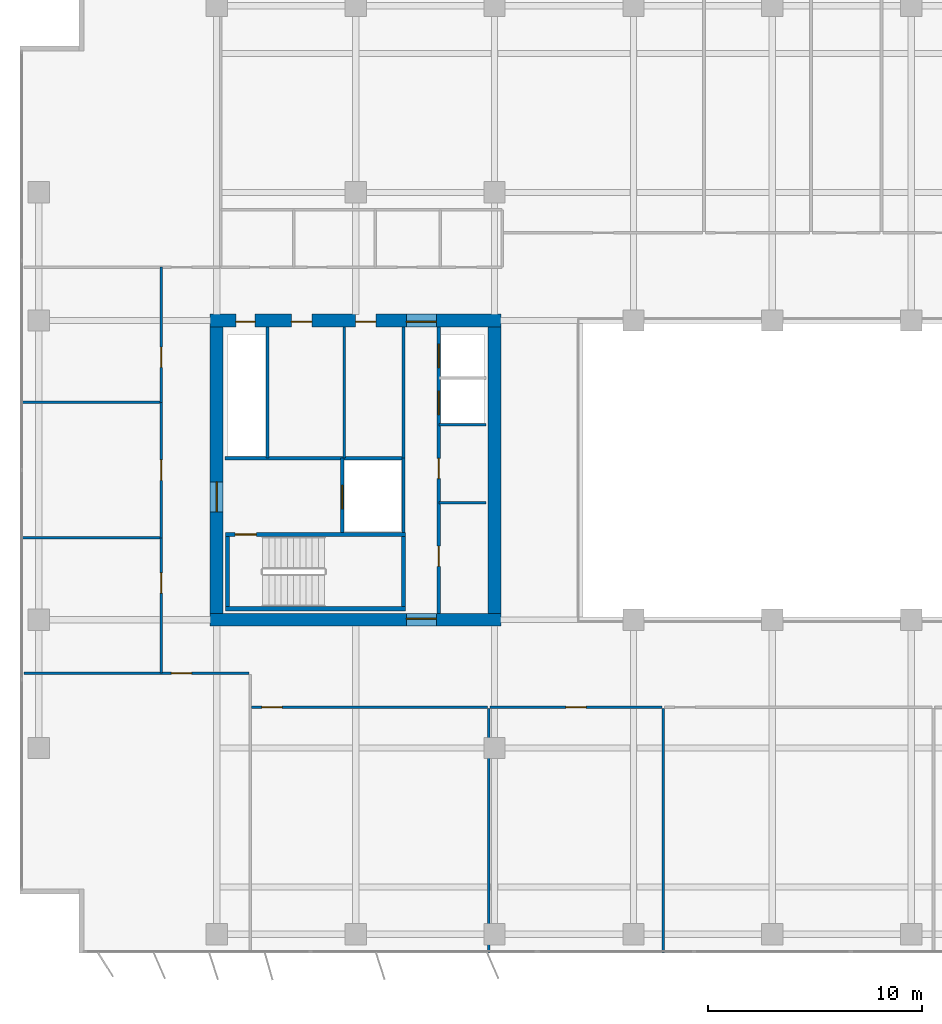
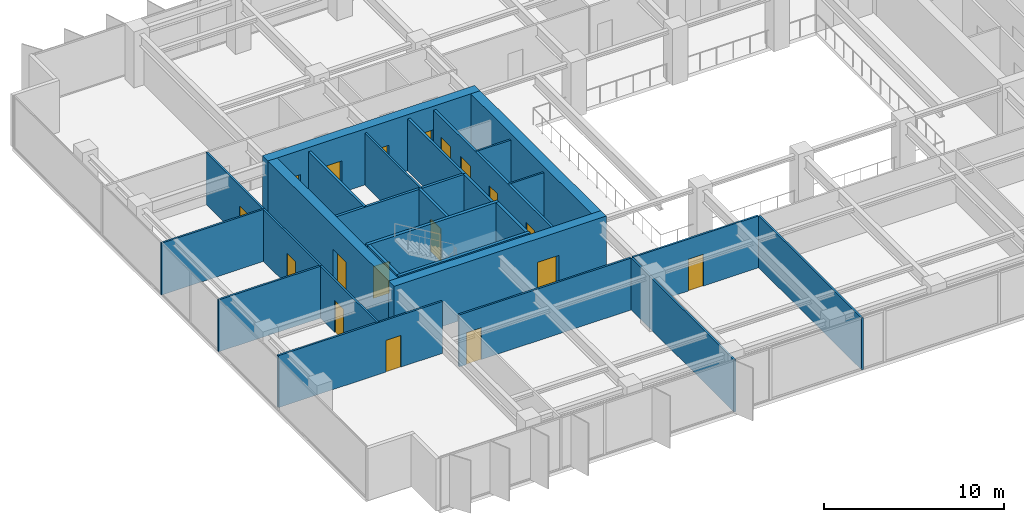
# One storey, part 15 of 22: 27 walls, 18 doors, 18 openings.
"""IFC4 building model written with IfcOpenShell, lengths in metres."""

from ifc_helpers import new_model, si_unit, direction, frame, frame_2d, origin, place, context, subcontext, project, spatial, rectangle, extrude, material, layer, layer_set, type_object, element, fill, save


model = new_model("IFC4")

# Units and contexts
model_context = context("Model", 3, precision=1e-05, world=origin(), true_north=direction((0.0, 1.0)))
body_context = subcontext(model_context, "Body", "Model", "MODEL_VIEW")
ifc_project = project(units=[si_unit("LENGTHUNIT", "METRE"), si_unit("AREAUNIT", "SQUARE_METRE"), si_unit("VOLUMEUNIT", "CUBIC_METRE"), si_unit("PLANEANGLEUNIT", "RADIAN"), si_unit("MASSUNIT", "GRAM", prefix="KILO")], contexts=[model_context])

# Site, building, storey
site_placement = place(None, origin())
site = spatial("IfcSite", under=ifc_project, at=site_placement, CompositionType="ELEMENT")
building_placement = place(site_placement, origin())
building = spatial("IfcBuilding", under=site, at=building_placement, Name="Putna Gate Headquarters", CompositionType="ELEMENT")
storey_placement = place(building_placement, frame((0.0, 0.0, 193.60009765625)))
storey = spatial("IfcBuildingStorey", under=building, at=storey_placement, Name="L48", CompositionType="ELEMENT", Elevation=193.60009765625)

# Wall, opening, door
ifc_material_1 = material(Name="Concrete C50/60", Category="concrete")
ifc_layer_1 = layer(ifc_material_1, 0.60009765625)
ifc_layer_set_1 = layer_set([ifc_layer_1], Name="Concrete C50/60")
wall_type_1 = type_object("IfcWallType", Name="WALL-CORE-600", PredefinedType="SHEAR", material=ifc_layer_set_1)
wall_1_placement = place(storey_placement, frame((12.699951171875, 19.0, 0.0), z_axis=(0.0, 0.0, 1.0), x_axis=(1.0, 0.0, 0.0)))
wall_1 = element("IfcWall", 1, at=wall_1_placement, inside=storey, type_object=wall_type_1, Name="L48 WC Split Core Shear Wall S", PredefinedType="SHEAR", context=body_context, shape_type="SweptSolid", body=[
    extrude(rectangle(XDim=13.60009765625, YDim=0.60009765625, at=frame_2d((6.800048828125, 0.0))), origin(), (0.0, 0.0, 1.0), 3.7998046875),
])
opening_1_placement = place(wall_1_placement, frame((9.179931640625, 0.0, 0.0)))
opening_1 = element("IfcOpeningElement", 2, at=opening_1_placement, cuts=wall_1, Name="Opening FDD-140", PredefinedType="OPENING", context=body_context, shape_type="SweptSolid", body=[
    extrude(rectangle(XDim=1.39990234375, YDim=2.199951171875, at=frame_2d((0.699951171875, 1.10009765625))), frame((0.0, 0.31005859375, 0.0), z_axis=(0.0, -1.0, 0.0), x_axis=(1.0, 0.0, 0.0)), (0.0, 0.0, 1.0), 0.6201171875),
])
ifc_material_2 = material(Name="Double steel fire door", Category="steel")
door_type_1 = type_object("IfcDoorType", Name="DOOR-FIRE-DBL-1400", OperationType="DOUBLE_DOOR_SINGLE_SWING", PredefinedType="DOOR", material=ifc_material_2)
door_1_placement = place(opening_1_placement, origin())
door_1 = element("IfcDoor", 3, at=door_1_placement, inside=storey, type_object=door_type_1, Name="L48 West Lift Lobby South Door", OperationType="DOUBLE_DOOR_SINGLE_SWING", OverallHeight=2.199951171875, OverallWidth=1.39990234375, PredefinedType="DOOR", context=body_context, shape_type="SweptSolid", body=[
    extrude(rectangle(XDim=1.39990234375, YDim=2.199951171875, at=frame_2d((0.699951171875, 1.10009765625))), frame((0.0, 0.0751953125, 0.0), z_axis=(0.0, -1.0, 0.0), x_axis=(1.0, 0.0, 0.0)), (0.0, 0.0, 1.0), 0.050048828125),
])
fill(opening_1, door_1)

# Wall, openings, doors
wall_2_placement = place(storey_placement, frame((12.699951171875, 33.0, 0.0), z_axis=(0.0, 0.0, 1.0), x_axis=(1.0, 0.0, 0.0)))
wall_2 = element("IfcWall", 4, at=wall_2_placement, inside=storey, type_object=wall_type_1, Name="L48 WC Split Core Shear Wall N", PredefinedType="SHEAR", context=body_context, shape_type="SweptSolid", body=[
    extrude(rectangle(XDim=13.60009765625, YDim=0.60009765625, at=frame_2d((6.800048828125, 0.0))), origin(), (0.0, 0.0, 1.0), 3.7998046875),
])
opening_2_placement = place(wall_2_placement, frame((1.199951171875, 0.0, 0.0)))
opening_2 = element("IfcOpeningElement", 5, at=opening_2_placement, cuts=wall_2, Name="Opening RD-90", PredefinedType="OPENING", context=body_context, shape_type="SweptSolid", body=[
    extrude(rectangle(XDim=0.89990234375, YDim=2.14990234375, at=frame_2d((0.449951171875, 1.074951171875))), frame((0.0, 0.31005859375, 0.0), z_axis=(0.0, -1.0, 0.0), x_axis=(1.0, 0.0, 0.0)), (0.0, 0.0, 1.0), 0.6201171875),
])
opening_3_placement = place(wall_2_placement, frame((3.800048828125, 0.0, 0.0)))
opening_3 = element("IfcOpeningElement", 6, at=opening_3_placement, cuts=wall_2, Name="Opening IDS-95", PredefinedType="OPENING", context=body_context, shape_type="SweptSolid", body=[
    extrude(rectangle(XDim=0.949951171875, YDim=2.14990234375, at=frame_2d((0.47509765625, 1.074951171875))), frame((0.0, 0.31005859375, 0.0), z_axis=(0.0, -1.0, 0.0), x_axis=(1.0, 0.0, 0.0)), (0.0, 0.0, 1.0), 0.6201171875),
])
opening_4_placement = place(wall_2_placement, frame((6.800048828125, 0.0, 0.0)))
opening_4 = element("IfcOpeningElement", 7, at=opening_4_placement, cuts=wall_2, Name="Opening IDS-95", PredefinedType="OPENING", context=body_context, shape_type="SweptSolid", body=[
    extrude(rectangle(XDim=0.949951171875, YDim=2.14990234375, at=frame_2d((0.47509765625, 1.074951171875))), frame((0.0, 0.31005859375, 0.0), z_axis=(0.0, -1.0, 0.0), x_axis=(1.0, 0.0, 0.0)), (0.0, 0.0, 1.0), 0.6201171875),
])
opening_5_placement = place(wall_2_placement, frame((9.179931640625, 0.0, 0.0)))
opening_5 = element("IfcOpeningElement", 8, at=opening_5_placement, cuts=wall_2, Name="Opening FDD-140", PredefinedType="OPENING", context=body_context, shape_type="SweptSolid", body=[
    extrude(rectangle(XDim=1.39990234375, YDim=2.199951171875, at=frame_2d((0.699951171875, 1.10009765625))), frame((0.0, 0.31005859375, 0.0), z_axis=(0.0, -1.0, 0.0), x_axis=(1.0, 0.0, 0.0)), (0.0, 0.0, 1.0), 0.6201171875),
])
door_2_placement = place(opening_5_placement, origin())
door_2 = element("IfcDoor", 9, at=door_2_placement, inside=storey, type_object=door_type_1, Name="L48 West Lift Lobby North Door", OperationType="DOUBLE_DOOR_SINGLE_SWING", OverallHeight=2.199951171875, OverallWidth=1.39990234375, PredefinedType="DOOR", context=body_context, shape_type="SweptSolid", body=[
    extrude(rectangle(XDim=1.39990234375, YDim=2.199951171875, at=frame_2d((0.699951171875, 1.10009765625))), frame((0.0, -0.02490234375, 0.0), z_axis=(0.0, -1.0, 0.0), x_axis=(1.0, 0.0, 0.0)), (0.0, 0.0, 1.0), 0.050048828125),
])
fill(opening_5, door_2)
ifc_material_3 = material(Name="Fire-rated service timber door", Category="wood")
door_type_2 = type_object("IfcDoorType", Name="DOOR-INT-950", OperationType="NOTDEFINED", PredefinedType="DOOR", material=ifc_material_3)
door_3_placement = place(opening_3_placement, origin())
door_3 = element("IfcDoor", 10, at=door_3_placement, inside=storey, type_object=door_type_2, Name="L48 Cleaner Store Door", OperationType="SINGLE_SWING_LEFT", OverallHeight=2.14990234375, OverallWidth=0.949951171875, PredefinedType="DOOR", context=body_context, shape_type="SweptSolid", body=[
    extrude(rectangle(XDim=0.949951171875, YDim=2.14990234375, at=frame_2d((0.47509765625, 1.074951171875))), frame((0.0, -0.02490234375, 0.0), z_axis=(0.0, -1.0, 0.0), x_axis=(1.0, 0.0, 0.0)), (0.0, 0.0, 1.0), 0.050048828125),
])
fill(opening_3, door_3)
door_4_placement = place(opening_4_placement, origin())
door_4 = element("IfcDoor", 11, at=door_4_placement, inside=storey, type_object=door_type_2, Name="L48 Comms Plant Door", OperationType="SINGLE_SWING_RIGHT", OverallHeight=2.14990234375, OverallWidth=0.949951171875, PredefinedType="DOOR", context=body_context, shape_type="SweptSolid", body=[
    extrude(rectangle(XDim=0.949951171875, YDim=2.14990234375, at=frame_2d((0.47509765625, 1.074951171875))), frame((0.0, -0.02490234375, 0.0), z_axis=(0.0, -1.0, 0.0), x_axis=(1.0, 0.0, 0.0)), (0.0, 0.0, 1.0), 0.050048828125),
])
fill(opening_4, door_4)
ifc_material_4 = material(Name="Steel riser access fire door", Category="steel")
door_type_3 = type_object("IfcDoorType", Name="DOOR-RISER-900", OperationType="NOTDEFINED", PredefinedType="DOOR", material=ifc_material_4)
door_5_placement = place(opening_2_placement, origin())
door_5 = element("IfcDoor", 12, at=door_5_placement, inside=storey, type_object=door_type_3, Name="L48 West Riser Access Door", OperationType="SINGLE_SWING_RIGHT", OverallHeight=2.14990234375, OverallWidth=0.89990234375, PredefinedType="DOOR", context=body_context, shape_type="SweptSolid", body=[
    extrude(rectangle(XDim=0.89990234375, YDim=2.14990234375, at=frame_2d((0.449951171875, 1.074951171875))), frame((0.0, -0.02490234375, 0.0), z_axis=(0.0, -1.0, 0.0), x_axis=(1.0, 0.0, 0.0)), (0.0, 0.0, 1.0), 0.050048828125),
])
fill(opening_2, door_5)

# Wall, opening, door
wall_3_placement = place(storey_placement, frame((13.0, 19.300048828125, 0.0), z_axis=(0.0, 0.0, 1.0), x_axis=(0.0, 1.0, 0.0)))
wall_3 = element("IfcWall", 13, at=wall_3_placement, inside=storey, type_object=wall_type_1, Name="L48 WC Split Core Shear Wall W", PredefinedType="SHEAR", context=body_context, shape_type="SweptSolid", body=[
    extrude(rectangle(XDim=13.39990234375, YDim=0.60009765625, at=frame_2d((6.699951171875, 0.0))), origin(), (0.0, 0.0, 1.0), 3.7998046875),
])
opening_6_placement = place(wall_3_placement, frame((4.75, 0.0, 0.0)))
opening_6 = element("IfcOpeningElement", 14, at=opening_6_placement, cuts=wall_3, Name="Opening FDD-140", PredefinedType="OPENING", context=body_context, shape_type="SweptSolid", body=[
    extrude(rectangle(XDim=1.39990234375, YDim=2.199951171875, at=frame_2d((0.699951171875, 1.10009765625))), frame((0.0, 0.31005859375, 0.0), z_axis=(0.0, -1.0, 0.0), x_axis=(1.0, 0.0, 0.0)), (0.0, 0.0, 1.0), 0.6201171875),
])
door_6_placement = place(opening_6_placement, origin())
door_6 = element("IfcDoor", 15, at=door_6_placement, inside=storey, type_object=door_type_1, Name="L48 West Firefighting Lobby Door", OperationType="DOUBLE_DOOR_SINGLE_SWING", OverallHeight=2.199951171875, OverallWidth=1.39990234375, PredefinedType="DOOR", context=body_context, shape_type="SweptSolid", body=[
    extrude(rectangle(XDim=1.39990234375, YDim=2.199951171875, at=frame_2d((0.699951171875, 1.10009765625))), frame((0.0, 0.02490234375, 0.0), z_axis=(0.0, -1.0, 0.0), x_axis=(1.0, 0.0, 0.0)), (0.0, 0.0, 1.0), 0.050048828125),
])
fill(opening_6, door_6)

# Walls
wall_4_placement = place(storey_placement, frame((26.0, 19.300048828125, 0.0), z_axis=(0.0, 0.0, 1.0), x_axis=(0.0, 1.0, 0.0)))
element("IfcWall", 16, at=wall_4_placement, inside=storey, type_object=wall_type_1, Name="L48 WC Split Core Shear Wall E", PredefinedType="SHEAR", context=body_context, shape_type="SweptSolid", body=[
    extrude(rectangle(XDim=13.39990234375, YDim=0.60009765625, at=frame_2d((6.699951171875, 0.0))), origin(), (0.0, 0.0, 1.0), 3.7998046875),
])
ifc_material_5 = material(Name="Acoustic gypsum board on metal stud")
ifc_layer_2 = layer(ifc_material_5, 0.1201171875)
ifc_layer_set_2 = layer_set([ifc_layer_2], Name="Acoustic gypsum board on metal stud")
wall_type_2 = type_object("IfcWallType", Name="WALL-PART-120", PredefinedType="PARTITIONING", material=ifc_layer_set_2)
for number, where, z_axis, x_axis, name in (
    (17, (25.727294921875, 3.419921875, 0.0), (0.0, 0.0, 1.0), (0.0, 1.0, 0.0), "L48 Interior Wall PART-L48-SB-DIV-02"),
    (18, (33.89404296875, 3.419921875, 0.0), (0.0, 0.0, 1.0), (0.0, 1.0, 0.0), "L48 Interior Wall PART-L48-SB-DIV-03"),
):
    element("IfcWall", number, at=place(storey_placement, frame(where, z_axis=z_axis, x_axis=x_axis)), inside=storey, type_object=wall_type_2, Name=name, PredefinedType="PARTITIONING", context=body_context, shape_type="SweptSolid", body=[
        extrude(rectangle(XDim=11.420166015625, YDim=0.1201171875, at=frame_2d((5.7099609375, 0.0))), origin(), (0.0, 0.0, 1.0), 3.52001953125),
    ])
for number, where, z_axis, x_axis, name in (
    (19, (3.820068359375, 22.833251953125, 0.0), (0.0, 0.0, 1.0), (1.0, 0.0, 0.0), "L48 Interior Wall PART-L48-WW-DIV-1"),
    (20, (3.820068359375, 29.166748046875, 0.0), (0.0, 0.0, 1.0), (1.0, 0.0, 0.0), "L48 Interior Wall PART-L48-WW-DIV-2"),
):
    element("IfcWall", number, at=place(storey_placement, frame(where, z_axis=z_axis, x_axis=x_axis)), inside=storey, type_object=wall_type_2, Name=name, PredefinedType="PARTITIONING", context=body_context, shape_type="SweptSolid", body=[
        extrude(rectangle(XDim=6.579833984375, YDim=0.1201171875, at=frame_2d((3.2900390625, 0.0))), origin(), (0.0, 0.0, 1.0), 3.52001953125),
    ])
ifc_material_6 = material(Name="Fire-rated gypsum board on metal stud")
ifc_layer_3 = layer(ifc_material_6, 0.1201171875)
ifc_layer_set_3 = layer_set([ifc_layer_3], Name="Fire-rated gypsum board on metal stud")
wall_type_3 = type_object("IfcWallType", Name="WALL-PART-120-RATED", PredefinedType="PARTITIONING", material=ifc_layer_set_3)
wall_5_placement = place(storey_placement, frame((18.969970703125, 26.56005859375, 0.0), z_axis=(0.0, 0.0, 1.0), x_axis=(0.0, 1.0, 0.0)))
element("IfcWall", 21, at=wall_5_placement, inside=storey, type_object=wall_type_3, Name="L48 Interior Wall CWINT-L48-WC-K0-DIV", PredefinedType="PARTITIONING", context=body_context, shape_type="SweptSolid", body=[
    extrude(rectangle(XDim=6.139892578125, YDim=0.1201171875, at=frame_2d((3.06982421875, 0.0))), origin(), (0.0, 0.0, 1.0), 3.52001953125),
])
for number, where, z_axis, x_axis, name in (
    (22, (23.39990234375, 24.469970703125, 0.0), (0.0, 0.0, 1.0), (1.0, 0.0, 0.0), "L48 Interior Wall CWINT-L48-WC-REUSE-DIV"),
    (23, (23.39990234375, 28.1201171875, 0.0), (0.0, 0.0, 1.0), (1.0, 0.0, 0.0), "L48 Interior Wall CWINT-L48-WC-LF06-DIV"),
):
    element("IfcWall", number, at=place(storey_placement, frame(where, z_axis=z_axis, x_axis=x_axis)), inside=storey, type_object=wall_type_3, Name=name, PredefinedType="PARTITIONING", context=body_context, shape_type="SweptSolid", body=[
        extrude(rectangle(XDim=2.2001953125, YDim=0.1201171875, at=frame_2d((1.10009765625, 0.0))), origin(), (0.0, 0.0, 1.0), 3.52001953125),
    ])

# Wall, opening, door
wall_6_placement = place(storey_placement, frame((3.97998046875, 16.5, 0.0), z_axis=(0.0, 0.0, 1.0), x_axis=(1.0, 0.0, 0.0)))
wall_6 = element("IfcWall", 24, at=wall_6_placement, inside=storey, type_object=wall_type_3, Name="L48 Interior Wall PART-L48-SB-CW-01", PredefinedType="PARTITIONING", context=body_context, shape_type="SweptSolid", body=[
    extrude(rectangle(XDim=10.537109375, YDim=0.1201171875, at=frame_2d((5.2685546875, 0.0))), origin(), (0.0, 0.0, 1.0), 3.52001953125),
])
opening_7_placement = place(wall_6_placement, frame((6.89990234375, 0.0, 0.0)))
opening_7 = element("IfcOpeningElement", 25, at=opening_7_placement, cuts=wall_6, Name="Opening FD-95", PredefinedType="OPENING", context=body_context, shape_type="SweptSolid", body=[
    extrude(rectangle(XDim=0.949951171875, YDim=2.14990234375, at=frame_2d((0.47509765625, 1.074951171875))), frame((0.0, 0.070068359375, 0.0), z_axis=(0.0, -1.0, 0.0), x_axis=(1.0, 0.0, 0.0)), (0.0, 0.0, 1.0), 0.14013671875),
])
ifc_material_7 = material(Name="Acoustic timber fire door", Category="wood")
door_type_4 = type_object("IfcDoorType", Name="DOOR-FIRE-950", OperationType="NOTDEFINED", PredefinedType="DOOR", material=ifc_material_7)
door_7_placement = place(opening_7_placement, origin())
door_7 = element("IfcDoor", 26, at=door_7_placement, inside=storey, type_object=door_type_4, Name="L48 Conference Meeting Room 5 Door", OperationType="SINGLE_SWING_LEFT", OverallHeight=2.14990234375, OverallWidth=0.949951171875, PredefinedType="DOOR", context=body_context, shape_type="SweptSolid", body=[
    extrude(rectangle(XDim=0.949951171875, YDim=2.14990234375, at=frame_2d((0.47509765625, 1.074951171875))), frame((0.0, 0.02490234375, 0.0), z_axis=(0.0, -1.0, 0.0), x_axis=(1.0, 0.0, 0.0)), (0.0, 0.0, 1.0), 0.050048828125),
])
fill(opening_7, door_7)

wall_7_placement = place(storey_placement, frame((14.63720703125, 14.89990234375, 0.0), z_axis=(0.0, 0.0, 1.0), x_axis=(1.0, 0.0, 0.0)))
wall_7 = element("IfcWall", 27, at=wall_7_placement, inside=storey, type_object=wall_type_3, Name="L48 Interior Wall PART-L48-SB-CW-02", PredefinedType="PARTITIONING", context=body_context, shape_type="SweptSolid", body=[
    extrude(rectangle(XDim=11.0302734375, YDim=0.1201171875, at=frame_2d((5.51513671875, 0.0))), origin(), (0.0, 0.0, 1.0), 3.52001953125),
])
opening_8_placement = place(wall_7_placement, frame((0.47998046875, 0.0, 0.0)))
opening_8 = element("IfcOpeningElement", 28, at=opening_8_placement, cuts=wall_7, Name="Opening FD-95", PredefinedType="OPENING", context=body_context, shape_type="SweptSolid", body=[
    extrude(rectangle(XDim=0.949951171875, YDim=2.14990234375, at=frame_2d((0.47509765625, 1.074951171875))), frame((0.0, 0.070068359375, 0.0), z_axis=(0.0, -1.0, 0.0), x_axis=(1.0, 0.0, 0.0)), (0.0, 0.0, 1.0), 0.14013671875),
])
door_8_placement = place(opening_8_placement, origin())
door_8 = element("IfcDoor", 29, at=door_8_placement, inside=storey, type_object=door_type_4, Name="L48 Cellular Office 4 Door", OperationType="SINGLE_SWING_RIGHT", OverallHeight=2.14990234375, OverallWidth=0.949951171875, PredefinedType="DOOR", context=body_context, shape_type="SweptSolid", body=[
    extrude(rectangle(XDim=0.949951171875, YDim=2.14990234375, at=frame_2d((0.47509765625, 1.074951171875))), frame((0.0, 0.02490234375, 0.0), z_axis=(0.0, -1.0, 0.0), x_axis=(1.0, 0.0, 0.0)), (0.0, 0.0, 1.0), 0.050048828125),
])
fill(opening_8, door_8)

wall_8_placement = place(storey_placement, frame((25.787353515625, 14.89990234375, 0.0), z_axis=(0.0, 0.0, 1.0), x_axis=(1.0, 0.0, 0.0)))
wall_8 = element("IfcWall", 30, at=wall_8_placement, inside=storey, type_object=wall_type_3, Name="L48 Interior Wall PART-L48-SB-CW-03", PredefinedType="PARTITIONING", context=body_context, shape_type="SweptSolid", body=[
    extrude(rectangle(XDim=8.046630859375, YDim=0.1201171875, at=frame_2d((4.0234375, 0.0))), origin(), (0.0, 0.0, 1.0), 3.52001953125),
])
opening_9_placement = place(wall_8_placement, frame((3.54833984375, 0.0, 0.0)))
opening_9 = element("IfcOpeningElement", 31, at=opening_9_placement, cuts=wall_8, Name="Opening FD-95", PredefinedType="OPENING", context=body_context, shape_type="SweptSolid", body=[
    extrude(rectangle(XDim=0.949951171875, YDim=2.14990234375, at=frame_2d((0.47509765625, 1.074951171875))), frame((0.0, 0.070068359375, 0.0), z_axis=(0.0, -1.0, 0.0), x_axis=(1.0, 0.0, 0.0)), (0.0, 0.0, 1.0), 0.14013671875),
])
door_9_placement = place(opening_9_placement, origin())
door_9 = element("IfcDoor", 32, at=door_9_placement, inside=storey, type_object=door_type_4, Name="L48 Cellular Office 5 Door", OperationType="SINGLE_SWING_LEFT", OverallHeight=2.14990234375, OverallWidth=0.949951171875, PredefinedType="DOOR", context=body_context, shape_type="SweptSolid", body=[
    extrude(rectangle(XDim=0.949951171875, YDim=2.14990234375, at=frame_2d((0.47509765625, 1.074951171875))), frame((0.0, 0.02490234375, 0.0), z_axis=(0.0, -1.0, 0.0), x_axis=(1.0, 0.0, 0.0)), (0.0, 0.0, 1.0), 0.050048828125),
])
fill(opening_9, door_9)

wall_9_placement = place(storey_placement, frame((10.39990234375, 16.5, 0.0), z_axis=(0.0, 0.0, 1.0), x_axis=(0.0, 1.0, 0.0)))
wall_9 = element("IfcWall", 33, at=wall_9_placement, inside=storey, type_object=wall_type_3, Name="L48 Interior Wall PART-L48-WW-CW-1", PredefinedType="PARTITIONING", context=body_context, shape_type="SweptSolid", body=[
    extrude(rectangle(XDim=6.333251953125, YDim=0.1201171875, at=frame_2d((3.16650390625, 0.0))), origin(), (0.0, 0.0, 1.0), 3.52001953125),
])
opening_10_placement = place(wall_9_placement, frame((3.74169921875, 0.0, 0.0)))
opening_10 = element("IfcOpeningElement", 34, at=opening_10_placement, cuts=wall_9, Name="Opening FD-95", PredefinedType="OPENING", context=body_context, shape_type="SweptSolid", body=[
    extrude(rectangle(XDim=0.949951171875, YDim=2.14990234375, at=frame_2d((0.47509765625, 1.074951171875))), frame((0.0, 0.070068359375, 0.0), z_axis=(0.0, -1.0, 0.0), x_axis=(1.0, 0.0, 0.0)), (0.0, 0.0, 1.0), 0.14013671875),
])
door_10_placement = place(opening_10_placement, origin())
door_10 = element("IfcDoor", 35, at=door_10_placement, inside=storey, type_object=door_type_4, Name="L48 West Project Meeting Room 1 Door", OperationType="SINGLE_SWING_RIGHT", OverallHeight=2.14990234375, OverallWidth=0.949951171875, PredefinedType="DOOR", context=body_context, shape_type="SweptSolid", body=[
    extrude(rectangle(XDim=0.949951171875, YDim=2.14990234375, at=frame_2d((0.47509765625, 1.074951171875))), frame((0.0, 0.02490234375, 0.0), z_axis=(0.0, -1.0, 0.0), x_axis=(1.0, 0.0, 0.0)), (0.0, 0.0, 1.0), 0.050048828125),
])
fill(opening_10, door_10)

wall_10_placement = place(storey_placement, frame((10.39990234375, 22.833251953125, 0.0), z_axis=(0.0, 0.0, 1.0), x_axis=(0.0, 1.0, 0.0)))
wall_10 = element("IfcWall", 36, at=wall_10_placement, inside=storey, type_object=wall_type_3, Name="L48 Interior Wall PART-L48-WW-CW-2", PredefinedType="PARTITIONING", context=body_context, shape_type="SweptSolid", body=[
    extrude(rectangle(XDim=6.33349609375, YDim=0.1201171875, at=frame_2d((3.166748046875, 0.0))), origin(), (0.0, 0.0, 1.0), 3.52001953125),
])
opening_11_placement = place(wall_10_placement, frame((2.691650390625, 0.0, 0.0)))
opening_11 = element("IfcOpeningElement", 37, at=opening_11_placement, cuts=wall_10, Name="Opening FD-95", PredefinedType="OPENING", context=body_context, shape_type="SweptSolid", body=[
    extrude(rectangle(XDim=0.949951171875, YDim=2.14990234375, at=frame_2d((0.47509765625, 1.074951171875))), frame((0.0, 0.070068359375, 0.0), z_axis=(0.0, -1.0, 0.0), x_axis=(1.0, 0.0, 0.0)), (0.0, 0.0, 1.0), 0.14013671875),
])
door_11_placement = place(opening_11_placement, origin())
door_11 = element("IfcDoor", 38, at=door_11_placement, inside=storey, type_object=door_type_4, Name="L48 West Project Meeting Room 2 Door", OperationType="SINGLE_SWING_LEFT", OverallHeight=2.14990234375, OverallWidth=0.949951171875, PredefinedType="DOOR", context=body_context, shape_type="SweptSolid", body=[
    extrude(rectangle(XDim=0.949951171875, YDim=2.14990234375, at=frame_2d((0.47509765625, 1.074951171875))), frame((0.0, 0.02490234375, 0.0), z_axis=(0.0, -1.0, 0.0), x_axis=(1.0, 0.0, 0.0)), (0.0, 0.0, 1.0), 0.050048828125),
])
fill(opening_11, door_11)

wall_11_placement = place(storey_placement, frame((10.39990234375, 29.166748046875, 0.0), z_axis=(0.0, 0.0, 1.0), x_axis=(0.0, 1.0, 0.0)))
wall_11 = element("IfcWall", 39, at=wall_11_placement, inside=storey, type_object=wall_type_3, Name="L48 Interior Wall PART-L48-WW-CW-3", PredefinedType="PARTITIONING", context=body_context, shape_type="SweptSolid", body=[
    extrude(rectangle(XDim=6.333251953125, YDim=0.1201171875, at=frame_2d((3.16650390625, 0.0))), origin(), (0.0, 0.0, 1.0), 3.52001953125),
])
opening_12_placement = place(wall_11_placement, frame((1.6416015625, 0.0, 0.0)))
opening_12 = element("IfcOpeningElement", 40, at=opening_12_placement, cuts=wall_11, Name="Opening FD-95", PredefinedType="OPENING", context=body_context, shape_type="SweptSolid", body=[
    extrude(rectangle(XDim=0.949951171875, YDim=2.14990234375, at=frame_2d((0.47509765625, 1.074951171875))), frame((0.0, 0.070068359375, 0.0), z_axis=(0.0, -1.0, 0.0), x_axis=(1.0, 0.0, 0.0)), (0.0, 0.0, 1.0), 0.14013671875),
])
door_12_placement = place(opening_12_placement, origin())
door_12 = element("IfcDoor", 41, at=door_12_placement, inside=storey, type_object=door_type_4, Name="L48 West Project Meeting Room 3 Door", OperationType="SINGLE_SWING_RIGHT", OverallHeight=2.14990234375, OverallWidth=0.949951171875, PredefinedType="DOOR", context=body_context, shape_type="SweptSolid", body=[
    extrude(rectangle(XDim=0.949951171875, YDim=2.14990234375, at=frame_2d((0.47509765625, 1.074951171875))), frame((0.0, 0.02490234375, 0.0), z_axis=(0.0, -1.0, 0.0), x_axis=(1.0, 0.0, 0.0)), (0.0, 0.0, 1.0), 0.050048828125),
])
fill(opening_12, door_12)

# Wall
ifc_material_8 = material(Name="Concrete C40/50", Category="concrete")
ifc_layer_4 = layer(ifc_material_8, 0.159912109375)
ifc_layer_set_4 = layer_set([ifc_layer_4], Name="Concrete C40/50")
wall_type_4 = type_object("IfcWallType", Name="WALL-SHAFT-160", PredefinedType="STANDARD", material=ifc_layer_set_4)
wall_12_placement = place(storey_placement, frame((21.739990234375, 23.090087890625, 0.0), z_axis=(0.0, 0.0, 1.0), x_axis=(0.0, 1.0, 0.0)))
element("IfcWall", 42, at=wall_12_placement, inside=storey, type_object=wall_type_4, Name="L48 Interior Wall CWINT-L48-WC-FFL-E", PredefinedType="STANDARD", context=body_context, shape_type="SweptSolid", body=[
    extrude(rectangle(XDim=3.469970703125, YDim=0.159912109375, at=frame_2d((1.73486328125, 0.0))), origin(), (0.0, 0.0, 1.0), 3.52001953125),
])

# Wall, opening, door
wall_13_placement = place(storey_placement, frame((18.8798828125, 23.090087890625, 0.0), z_axis=(0.0, 0.0, 1.0), x_axis=(0.0, 1.0, 0.0)))
wall_13 = element("IfcWall", 43, at=wall_13_placement, inside=storey, type_object=wall_type_4, Name="L48 Interior Wall CWINT-L48-WC-LF13-W", PredefinedType="STANDARD", context=body_context, shape_type="SweptSolid", body=[
    extrude(rectangle(XDim=3.469970703125, YDim=0.159912109375, at=frame_2d((1.73486328125, 0.0))), origin(), (0.0, 0.0, 1.0), 3.52001953125),
])
opening_13_placement = place(wall_13_placement, frame((1.10009765625, 0.0, 0.0)))
opening_13 = element("IfcOpeningElement", 44, at=opening_13_placement, cuts=wall_13, Name="Opening LD-1", PredefinedType="OPENING", context=body_context, shape_type="SweptSolid", body=[
    extrude(rectangle(XDim=1.10009765625, YDim=2.199951171875, at=frame_2d((0.550048828125, 1.10009765625))), frame((0.0, 0.08984375, 0.0), z_axis=(0.0, -1.0, 0.0), x_axis=(1.0, 0.0, 0.0)), (0.0, 0.0, 1.0), 0.179931640625),
])
ifc_material_9 = material(Name="Brushed bronze stainless lift landing door")
door_type_5 = type_object("IfcDoorType", Name="DOOR-LIFT-1100", OperationType="DOUBLE_DOOR_SLIDING", PredefinedType="DOOR", material=ifc_material_9)
door_13_placement = place(opening_13_placement, origin())
door_13 = element("IfcDoor", 45, at=door_13_placement, inside=storey, type_object=door_type_5, Name="L48 Lift Landing Door LD-13", OperationType="DOUBLE_DOOR_SLIDING", OverallHeight=2.199951171875, OverallWidth=1.10009765625, PredefinedType="DOOR", context=body_context, shape_type="SweptSolid", body=[
    extrude(rectangle(XDim=1.10009765625, YDim=2.199951171875, at=frame_2d((0.550048828125, 1.10009765625))), frame((0.0, 0.02490234375, 0.0), z_axis=(0.0, -1.0, 0.0), x_axis=(1.0, 0.0, 0.0)), (0.0, 0.0, 1.0), 0.050048828125),
])
fill(opening_13, door_13)

# Walls
wall_14_placement = place(storey_placement, frame((13.39990234375, 26.56005859375, 0.0), z_axis=(0.0, 0.0, 1.0), x_axis=(1.0, 0.0, 0.0)))
element("IfcWall", 46, at=wall_14_placement, inside=storey, type_object=wall_type_4, Name="L48 Interior Wall CWINT-L48-WC-FFL-N", PredefinedType="STANDARD", context=body_context, shape_type="SweptSolid", body=[
    extrude(rectangle(XDim=8.340087890625, YDim=0.159912109375, at=frame_2d((4.169921875, 0.0))), origin(), (0.0, 0.0, 1.0), 3.52001953125),
])
for number, where, z_axis, x_axis, name in (
    (47, (15.3798828125, 26.56005859375, 0.0), (0.0, 0.0, 1.0), (0.0, 1.0, 0.0), "L48 Interior Wall CWINT-L48-WC-RISER-E"),
    (48, (21.739990234375, 26.56005859375, 0.0), (0.0, 0.0, 1.0), (0.0, 1.0, 0.0), "L48 Interior Wall CWINT-L48-WC-LOB-W"),
):
    element("IfcWall", number, at=place(storey_placement, frame(where, z_axis=z_axis, x_axis=x_axis)), inside=storey, type_object=wall_type_4, Name=name, PredefinedType="STANDARD", context=body_context, shape_type="SweptSolid", body=[
        extrude(rectangle(XDim=6.139892578125, YDim=0.159912109375, at=frame_2d((3.06982421875, 0.0))), origin(), (0.0, 0.0, 1.0), 3.52001953125),
    ])

# Wall, openings, doors
wall_15_placement = place(storey_placement, frame((23.39990234375, 19.300048828125, 0.0), z_axis=(0.0, 0.0, 1.0), x_axis=(0.0, 1.0, 0.0)))
wall_15 = element("IfcWall", 49, at=wall_15_placement, inside=storey, type_object=wall_type_4, Name="L48 Interior Wall CWINT-L48-WC-PL-WALL", PredefinedType="STANDARD", context=body_context, shape_type="SweptSolid", body=[
    extrude(rectangle(XDim=13.39990234375, YDim=0.159912109375, at=frame_2d((6.699951171875, 0.0))), origin(), (0.0, 0.0, 1.0), 3.52001953125),
])
opening_14_placement = place(wall_15_placement, frame((2.199951171875, 0.0, 0.0)))
opening_14 = element("IfcOpeningElement", 50, at=opening_14_placement, cuts=wall_15, Name="Opening IDS-95", PredefinedType="OPENING", context=body_context, shape_type="SweptSolid", body=[
    extrude(rectangle(XDim=0.949951171875, YDim=2.14990234375, at=frame_2d((0.47509765625, 1.074951171875))), frame((0.0, 0.08984375, 0.0), z_axis=(0.0, -1.0, 0.0), x_axis=(1.0, 0.0, 0.0)), (0.0, 0.0, 1.0), 0.179931640625),
])
opening_15_placement = place(wall_15_placement, frame((6.300048828125, 0.0, 0.0)))
opening_15 = element("IfcOpeningElement", 51, at=opening_15_placement, cuts=wall_15, Name="Opening IDS-95", PredefinedType="OPENING", context=body_context, shape_type="SweptSolid", body=[
    extrude(rectangle(XDim=0.949951171875, YDim=2.14990234375, at=frame_2d((0.47509765625, 1.074951171875))), frame((0.0, 0.08984375, 0.0), z_axis=(0.0, -1.0, 0.0), x_axis=(1.0, 0.0, 0.0)), (0.0, 0.0, 1.0), 0.179931640625),
])
opening_16_placement = place(wall_15_placement, frame((9.300048828125, 0.0, 0.0)))
opening_16 = element("IfcOpeningElement", 52, at=opening_16_placement, cuts=wall_15, Name="Opening LD-1", PredefinedType="OPENING", context=body_context, shape_type="SweptSolid", body=[
    extrude(rectangle(XDim=1.10009765625, YDim=2.199951171875, at=frame_2d((0.550048828125, 1.10009765625))), frame((0.0, 0.08984375, 0.0), z_axis=(0.0, -1.0, 0.0), x_axis=(1.0, 0.0, 0.0)), (0.0, 0.0, 1.0), 0.179931640625),
])
opening_17_placement = place(wall_15_placement, frame((11.5, 0.0, 0.0)))
opening_17 = element("IfcOpeningElement", 53, at=opening_17_placement, cuts=wall_15, Name="Opening LD-1", PredefinedType="OPENING", context=body_context, shape_type="SweptSolid", body=[
    extrude(rectangle(XDim=1.10009765625, YDim=2.199951171875, at=frame_2d((0.550048828125, 1.10009765625))), frame((0.0, 0.08984375, 0.0), z_axis=(0.0, -1.0, 0.0), x_axis=(1.0, 0.0, 0.0)), (0.0, 0.0, 1.0), 0.179931640625),
])
door_14_placement = place(opening_14_placement, origin())
door_14 = element("IfcDoor", 54, at=door_14_placement, inside=storey, type_object=door_type_2, Name="L48 Tenant IT Hub Door", OperationType="SINGLE_SWING_LEFT", OverallHeight=2.14990234375, OverallWidth=0.949951171875, PredefinedType="DOOR", context=body_context, shape_type="SweptSolid", body=[
    extrude(rectangle(XDim=0.949951171875, YDim=2.14990234375, at=frame_2d((0.47509765625, 1.074951171875))), frame((0.0, 0.02490234375, 0.0), z_axis=(0.0, -1.0, 0.0), x_axis=(1.0, 0.0, 0.0)), (0.0, 0.0, 1.0), 0.050048828125),
])
fill(opening_14, door_14)
door_15_placement = place(opening_15_placement, origin())
door_15 = element("IfcDoor", 55, at=door_15_placement, inside=storey, type_object=door_type_2, Name="L48 Records Vault Door", OperationType="SINGLE_SWING_RIGHT", OverallHeight=2.14990234375, OverallWidth=0.949951171875, PredefinedType="DOOR", context=body_context, shape_type="SweptSolid", body=[
    extrude(rectangle(XDim=0.949951171875, YDim=2.14990234375, at=frame_2d((0.47509765625, 1.074951171875))), frame((0.0, 0.02490234375, 0.0), z_axis=(0.0, -1.0, 0.0), x_axis=(1.0, 0.0, 0.0)), (0.0, 0.0, 1.0), 0.050048828125),
])
fill(opening_15, door_15)
door_16_placement = place(opening_16_placement, origin())
door_16 = element("IfcDoor", 56, at=door_16_placement, inside=storey, type_object=door_type_5, Name="L48 Lift Landing Door LD-09", OperationType="DOUBLE_DOOR_SLIDING", OverallHeight=2.199951171875, OverallWidth=1.10009765625, PredefinedType="DOOR", context=body_context, shape_type="SweptSolid", body=[
    extrude(rectangle(XDim=1.10009765625, YDim=2.199951171875, at=frame_2d((0.550048828125, 1.10009765625))), frame((0.0, 0.02490234375, 0.0), z_axis=(0.0, -1.0, 0.0), x_axis=(1.0, 0.0, 0.0)), (0.0, 0.0, 1.0), 0.050048828125),
])
fill(opening_16, door_16)
door_17_placement = place(opening_17_placement, origin())
door_17 = element("IfcDoor", 57, at=door_17_placement, inside=storey, type_object=door_type_5, Name="L48 Lift Landing Door LD-10", OperationType="DOUBLE_DOOR_SLIDING", OverallHeight=2.199951171875, OverallWidth=1.10009765625, PredefinedType="DOOR", context=body_context, shape_type="SweptSolid", body=[
    extrude(rectangle(XDim=1.10009765625, YDim=2.199951171875, at=frame_2d((0.550048828125, 1.10009765625))), frame((0.0, 0.02490234375, 0.0), z_axis=(0.0, -1.0, 0.0), x_axis=(1.0, 0.0, 0.0)), (0.0, 0.0, 1.0), 0.050048828125),
])
fill(opening_17, door_17)

# Wall
ifc_layer_5 = layer(ifc_material_8, 0.199951171875)
ifc_layer_set_5 = layer_set([ifc_layer_5], Name="Concrete C40/50")
wall_type_5 = type_object("IfcWallType", Name="WALL-SHAFT-RC200", PredefinedType="SHEAR", material=ifc_layer_set_5)
wall_16_placement = place(storey_placement, frame((13.409912109375, 19.510009765625, 0.0), z_axis=(0.0, 0.0, 1.0), x_axis=(1.0, 0.0, 0.0)))
element("IfcWall", 58, at=wall_16_placement, inside=storey, type_object=wall_type_5, Name="L48 Stair ST1 Structural Shaft Wall S", PredefinedType="SHEAR", context=body_context, shape_type="SweptSolid", body=[
    extrude(rectangle(XDim=8.43017578125, YDim=0.199951171875, at=frame_2d((4.215087890625, 0.0))), origin(), (0.0, 0.0, 1.0), 3.7998046875),
])

# Wall, opening, door
wall_17_placement = place(storey_placement, frame((13.409912109375, 22.989990234375, 0.0), z_axis=(0.0, 0.0, 1.0), x_axis=(1.0, 0.0, 0.0)))
wall_17 = element("IfcWall", 59, at=wall_17_placement, inside=storey, type_object=wall_type_5, Name="L48 Stair ST1 Structural Shaft Wall N", PredefinedType="SHEAR", context=body_context, shape_type="SweptSolid", body=[
    extrude(rectangle(XDim=8.43017578125, YDim=0.199951171875, at=frame_2d((4.215087890625, 0.0))), origin(), (0.0, 0.0, 1.0), 3.7998046875),
])
opening_18_placement = place(wall_17_placement, frame((0.449951171875, 0.0, 0.0)))
opening_18 = element("IfcOpeningElement", 60, at=opening_18_placement, cuts=wall_17, Name="Opening FD-100", PredefinedType="OPENING", context=body_context, shape_type="SweptSolid", body=[
    extrude(rectangle(XDim=1.0, YDim=2.14990234375, at=frame_2d((0.5, 1.074951171875))), frame((0.0, 0.10986328125, 0.0), z_axis=(0.0, -1.0, 0.0), x_axis=(1.0, 0.0, 0.0)), (0.0, 0.0, 1.0), 0.219970703125),
])
ifc_material_10 = material(Name="Powder-coated steel fire door", Category="steel")
door_type_6 = type_object("IfcDoorType", Name="DOOR-FIRE-1000", OperationType="NOTDEFINED", PredefinedType="DOOR", material=ifc_material_10)
door_18_placement = place(opening_18_placement, origin())
door_18 = element("IfcDoor", 61, at=door_18_placement, inside=storey, type_object=door_type_6, Name="L48 Stair ST1 Fire Door", OperationType="SINGLE_SWING_LEFT", OverallHeight=2.14990234375, OverallWidth=1.0, PredefinedType="DOOR", context=body_context, shape_type="SweptSolid", body=[
    extrude(rectangle(XDim=1.0, YDim=2.14990234375, at=frame_2d((0.5, 1.074951171875))), frame((0.0, 0.02490234375, 0.0), z_axis=(0.0, -1.0, 0.0), x_axis=(1.0, 0.0, 0.0)), (0.0, 0.0, 1.0), 0.050048828125),
])
fill(opening_18, door_18)

# Walls
for number, where, z_axis, x_axis, name in (
    (62, (13.510009765625, 19.610107421875, 0.0), (0.0, 0.0, 1.0), (0.0, 1.0, 0.0), "L48 Stair ST1 Structural Shaft Wall W"),
    (63, (21.739990234375, 19.610107421875, 0.0), (0.0, 0.0, 1.0), (0.0, 1.0, 0.0), "L48 Stair ST1 Structural Shaft Wall E"),
):
    element("IfcWall", number, at=place(storey_placement, frame(where, z_axis=z_axis, x_axis=x_axis)), inside=storey, type_object=wall_type_5, Name=name, PredefinedType="SHEAR", context=body_context, shape_type="SweptSolid", body=[
        extrude(rectangle(XDim=3.27978515625, YDim=0.199951171875, at=frame_2d((1.639892578125, 0.0))), origin(), (0.0, 0.0, 1.0), 3.7998046875),
    ])

save(model, "model.ifc")
